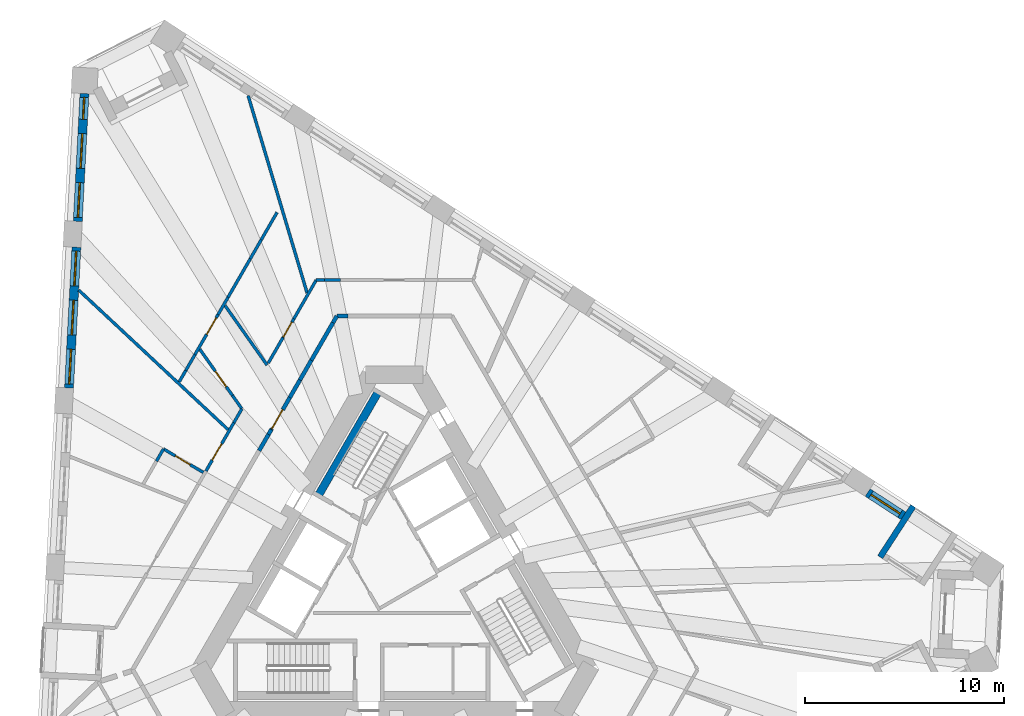
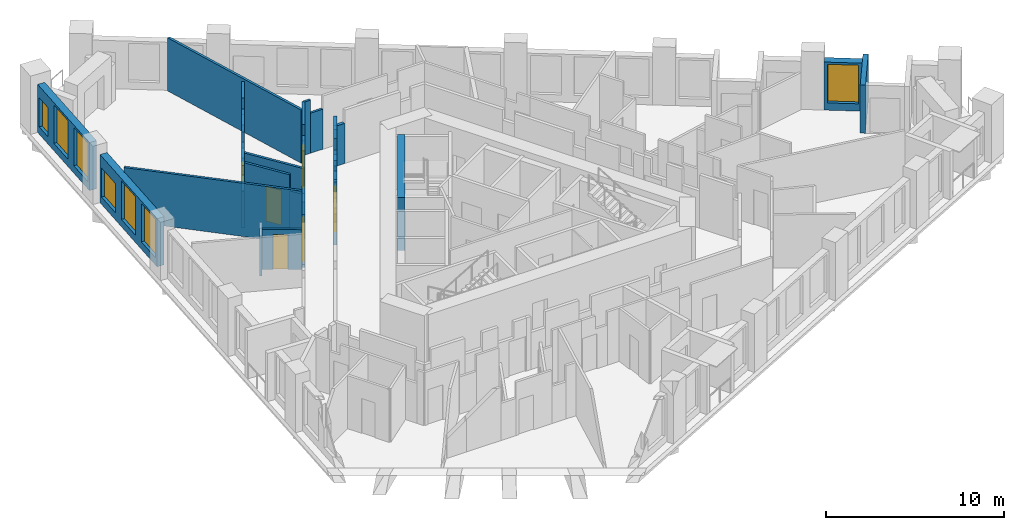
# One storey, part 7 of 13: 34 walls, 7 windows, 6 doors, 13 openings.
"""IFC4 building model written with IfcOpenShell, lengths in metres."""

from ifc_helpers import new_model, si_unit, direction, frame, frame_2d, origin, place, context, subcontext, project, spatial, polyline, rectangle, outline, extrude, material, layer, layer_set, type_object, element, fill, save


model = new_model("IFC4")

# Units and contexts
model_context = context("Model", 3, precision=1e-05, world=origin(), true_north=direction((0.0, 1.0)))
body_context = subcontext(model_context, "Body", "Model", "MODEL_VIEW")
ifc_project = project(units=[si_unit("LENGTHUNIT", "METRE"), si_unit("AREAUNIT", "SQUARE_METRE"), si_unit("VOLUMEUNIT", "CUBIC_METRE"), si_unit("PLANEANGLEUNIT", "RADIAN"), si_unit("MASSUNIT", "GRAM", prefix="KILO")], contexts=[model_context])

# Site, building, storey
site_placement = place(None, origin())
site = spatial("IfcSite", under=ifc_project, at=site_placement, CompositionType="ELEMENT")
building_placement = place(site_placement, origin())
building = spatial("IfcBuilding", under=site, at=building_placement, Name="Tramontana Tower", CompositionType="ELEMENT")
storey_placement = place(building_placement, frame((0.0, 0.0, 145.60009765625)))
storey = spatial("IfcBuildingStorey", under=building, at=storey_placement, Name="L33", CompositionType="ELEMENT", Elevation=145.60009765625)

# Walls
ifc_material_1 = material(Name="Blockwork", Category="masonry")
ifc_layer_1 = layer(ifc_material_1, 0.199951171875)
ifc_layer_set_1 = layer_set([ifc_layer_1], Name="ENTRY WALL 200")
wall_type_1 = type_object("IfcWallType", Name="ENTRY WALL 200", PredefinedType="SOLIDWALL", material=ifc_layer_set_1)
wall_1_placement = place(storey_placement, frame((-6.790283203125, 6.739013671875, 0.0), z_axis=(0.0, 0.0, 1.0), x_axis=(0.500118100521, 0.865957207679, 0.0)))
element("IfcWall", 1, at=wall_1_placement, inside=storey, type_object=wall_type_1, Name="Wall v31-ew4-5", PredefinedType="SOLIDWALL", context=body_context, shape_type="SweptSolid", body=[
    extrude(rectangle(XDim=0.943603515625, YDim=0.199951171875, at=frame_2d((0.4716796875, 0.0))), origin(), (0.0, 0.0, 1.0), 2.5498046875),
])
wall_2_placement = place(storey_placement, frame((-6.318359375, 7.55615234375, 0.0), z_axis=(0.0, 0.0, 1.0), x_axis=(0.499973348067, 0.866040790738, 0.0)))
element("IfcWall", 2, at=wall_2_placement, inside=storey, type_object=wall_type_1, Name="Wall v31-ew4-6", PredefinedType="SOLIDWALL", context=body_context, shape_type="SweptSolid", body=[
    extrude(rectangle(XDim=0.28076171875, YDim=0.199951171875, at=frame_2d((0.140380859375, 0.0))), origin(), (0.0, 0.0, 1.0), 3.64990234375),
])

# Wall, opening, door
wall_3_placement = place(storey_placement, frame((-6.177978515625, 7.79931640625, 0.0), z_axis=(0.0, 0.0, 1.0), x_axis=(0.499999386358, 0.86602575807, 0.0)))
wall_3 = element("IfcWall", 3, at=wall_3_placement, inside=storey, type_object=wall_type_1, Name="Wall v31-ew4-7", PredefinedType="SOLIDWALL", context=body_context, shape_type="SweptSolid", body=[
    extrude(outline(polyline([(0.0, 0.0), (1.85693359375, 0.0), (1.85693359375, 2.5498046875), (0.833251953125, 2.5498046875), (0.833251953125, 3.64990234375), (0.0, 3.64990234375), (0.0, 0.0)])), frame((0.0, 0.10009765625, 0.0), z_axis=(0.0, -1.0, 0.0), x_axis=(1.0, 0.0, 0.0)), (0.0, 0.0, 1.0), 0.199951171875),
])
opening_1_placement = place(wall_3_placement, frame((0.050048828125, 0.0, 0.0)))
opening_1 = element("IfcOpeningElement", 4, at=opening_1_placement, cuts=wall_3, Name="Opening B3B-26", PredefinedType="OPENING", context=body_context, shape_type="SweptSolid", body=[
    extrude(rectangle(XDim=1.10009765625, YDim=2.39990234375, at=frame_2d((0.550048828125, 1.199951171875))), frame((0.0, 0.10986328125, 0.0), z_axis=(0.0, -1.0, 0.0), x_axis=(1.0, 0.0, 0.0)), (0.0, 0.0, 1.0), 0.219970703125),
])
ifc_material_2 = material(Name="Painted timber", Category="wood")
door_type_1 = type_object("IfcDoorType", Name="DOOR ENTRY 1100", OperationType="SINGLE_SWING_LEFT", PredefinedType="DOOR", material=ifc_material_2)
door_1_placement = place(opening_1_placement, origin())
door_1 = element("IfcDoor", 5, at=door_1_placement, inside=storey, type_object=door_type_1, Name="Door B3B-26", OperationType="SINGLE_SWING_RIGHT", OverallHeight=2.39990234375, OverallWidth=1.10009765625, PredefinedType="DOOR", context=body_context, shape_type="SweptSolid", body=[
    extrude(rectangle(XDim=1.10009765625, YDim=2.39990234375, at=frame_2d((0.550048828125, 1.199951171875))), frame((0.0, 0.02490234375, 0.0), z_axis=(0.0, -1.0, 0.0), x_axis=(1.0, 0.0, 0.0)), (0.0, 0.0, 1.0), 0.050048828125),
])
fill(opening_1, door_1)

# Walls
wall_4_placement = place(storey_placement, frame((-5.24951171875, 9.407470703125, 0.0), z_axis=(0.0, 0.0, 1.0), x_axis=(0.499991148707, 0.866030514021, 0.0)))
element("IfcWall", 6, at=wall_4_placement, inside=storey, type_object=wall_type_1, Name="Wall v31-ew4-8", PredefinedType="SOLIDWALL", context=body_context, shape_type="SweptSolid", body=[
    extrude(rectangle(XDim=1.0224609375, YDim=0.199951171875, at=frame_2d((0.51123046875, 0.0))), origin(), (0.0, 0.0, 1.0), 3.64990234375),
])
wall_5_placement = place(storey_placement, frame((-4.73828125, 10.29296875, 0.0), z_axis=(0.0, 0.0, 1.0), x_axis=(0.500001688065, 0.866024429177, 0.0)))
element("IfcWall", 7, at=wall_5_placement, inside=storey, type_object=wall_type_1, Name="Wall v31-ew4-9", PredefinedType="SOLIDWALL", context=body_context, shape_type="SweptSolid", body=[
    extrude(rectangle(XDim=1.13525390625, YDim=0.199951171875, at=frame_2d((0.567626953125, 0.0))), origin(), (0.0, 0.0, 1.0), 2.5498046875),
])
wall_6_placement = place(storey_placement, frame((-4.170654296875, 11.276123046875, 0.0), z_axis=(0.0, 0.0, 1.0), x_axis=(0.50001992892, 0.866013897511, 0.0)))
element("IfcWall", 8, at=wall_6_placement, inside=storey, type_object=wall_type_1, Name="Wall v31-ew4-10", PredefinedType="SOLIDWALL", context=body_context, shape_type="SweptSolid", body=[
    extrude(rectangle(XDim=2.1787109375, YDim=0.199951171875, at=frame_2d((1.08935546875, 0.0))), origin(), (0.0, 0.0, 1.0), 3.64990234375),
])
wall_7_placement = place(storey_placement, frame((-3.081298828125, 13.162841796875, 0.0), z_axis=(0.0, 0.0, 1.0), x_axis=(0.499849133735, 0.866112488944, 0.0)))
element("IfcWall", 9, at=wall_7_placement, inside=storey, type_object=wall_type_1, Name="Wall v31-ew4-11", PredefinedType="SOLIDWALL", context=body_context, shape_type="SweptSolid", body=[
    extrude(rectangle(XDim=0.38916015625, YDim=0.199951171875, at=frame_2d((0.194580078125, 0.0))), origin(), (0.0, 0.0, 1.0), 2.75),
])
wall_8_placement = place(storey_placement, frame((-2.88671875, 13.5, 0.0), z_axis=(0.0, 0.0, 1.0), x_axis=(1.0, 0.0, 0.0)))
element("IfcWall", 10, at=wall_8_placement, inside=storey, type_object=wall_type_1, Name="Wall v31-ew5-0", PredefinedType="SOLIDWALL", context=body_context, shape_type="SweptSolid", body=[
    extrude(rectangle(XDim=0.55322265625, YDim=0.199951171875, at=frame_2d((0.276611328125, 0.0))), origin(), (0.0, 0.0, 1.0), 2.75),
])

# Wall, openings, windows
ifc_material_3 = material(Name="Precast concrete 60 MPa", Category="concrete")
ifc_layer_2 = layer(ifc_material_3, 0.449951171875)
ifc_layer_set_2 = layer_set([ifc_layer_2], Name="Precast concrete 60 MPa, 450 mm")
wall_type_2 = type_object("IfcWallType", Name="EW1 Stone-faced precast wall 450", PredefinedType="SOLIDWALL", material=ifc_layer_set_2)
wall_9_placement = place(storey_placement, frame((-15.5556640625, 24.66259765625, 0.0), z_axis=(0.0, 0.0, 1.0), x_axis=(-0.052313391961, -0.998630717043, 0.0)))
wall_9 = element("IfcWall", 11, at=wall_9_placement, inside=storey, type_object=wall_type_2, Name="External wall L33 face 0 bay 1", PredefinedType="SOLIDWALL", context=body_context, shape_type="SweptSolid", body=[
    extrude(rectangle(XDim=6.421630859375, YDim=0.449951171875, at=frame_2d((3.2109375, 0.0))), origin(), (0.0, 0.0, 1.0), 3.2998046875),
])
opening_2_placement = place(wall_9_placement, frame((0.1953125, 0.0, 0.5)))
opening_2 = element("IfcOpeningElement", 12, at=opening_2_placement, cuts=wall_9, Name="Opening N2L", PredefinedType="OPENING", context=body_context, shape_type="SweptSolid", body=[
    extrude(rectangle(XDim=1.10009765625, YDim=2.0, at=frame_2d((0.550048828125, 1.0))), frame((0.0, 0.23486328125, 0.0), z_axis=(0.0, -1.0, 0.0), x_axis=(1.0, 0.0, 0.0)), (0.0, 0.0, 1.0), 0.469970703125),
])
opening_3_placement = place(wall_9_placement, frame((2.0107421875, 0.0, 0.5)))
opening_3 = element("IfcOpeningElement", 13, at=opening_3_placement, cuts=wall_9, Name="Opening M2", PredefinedType="OPENING", context=body_context, shape_type="SweptSolid", body=[
    extrude(rectangle(XDim=1.75, YDim=2.64990234375, at=frame_2d((0.875, 1.324951171875))), frame((0.0, 0.23486328125, 0.0), z_axis=(0.0, -1.0, 0.0), x_axis=(1.0, 0.0, 0.0)), (0.0, 0.0, 1.0), 0.469970703125),
])
opening_4_placement = place(wall_9_placement, frame((4.476318359375, 0.0, 0.5)))
opening_4 = element("IfcOpeningElement", 14, at=opening_4_placement, cuts=wall_9, Name="Opening M2", PredefinedType="OPENING", context=body_context, shape_type="SweptSolid", body=[
    extrude(rectangle(XDim=1.75, YDim=2.64990234375, at=frame_2d((0.875, 1.324951171875))), frame((0.0, 0.23486328125, 0.0), z_axis=(0.0, -1.0, 0.0), x_axis=(1.0, 0.0, 0.0)), (0.0, 0.0, 1.0), 0.469970703125),
])
ifc_material_4 = material(Name="Aluminum frame, double glazing unit", Category="aluminium")
window_type_1 = type_object("IfcWindowType", Name="M2 Window 1.75 x 2.65", PartitioningType="SINGLE_PANEL", PredefinedType="WINDOW", material=ifc_material_4)
window_1_placement = place(opening_3_placement, origin())
window_1 = element("IfcWindow", 15, at=window_1_placement, inside=storey, type_object=window_type_1, Name="Window M2 L33 face 0 module 2", OverallHeight=2.64990234375, OverallWidth=1.75, PartitioningType="SINGLE_PANEL", PredefinedType="WINDOW", context=body_context, shape_type="SweptSolid", body=[
    extrude(rectangle(XDim=1.75, YDim=2.64990234375, at=frame_2d((0.875, 1.324951171875))), frame((0.0, 0.030029296875, 0.0), z_axis=(0.0, -1.0, 0.0), x_axis=(1.0, 0.0, 0.0)), (0.0, 0.0, 1.0), 0.06005859375),
])
fill(opening_3, window_1)
window_2_placement = place(opening_4_placement, origin())
window_2 = element("IfcWindow", 16, at=window_2_placement, inside=storey, type_object=window_type_1, Name="Window M2 L33 face 0 module 3", OverallHeight=2.64990234375, OverallWidth=1.75, PartitioningType="SINGLE_PANEL", PredefinedType="WINDOW", context=body_context, shape_type="SweptSolid", body=[
    extrude(rectangle(XDim=1.75, YDim=2.64990234375, at=frame_2d((0.875, 1.324951171875))), frame((0.0, 0.030029296875, 0.0), z_axis=(0.0, -1.0, 0.0), x_axis=(1.0, 0.0, 0.0)), (0.0, 0.0, 1.0), 0.06005859375),
])
fill(opening_4, window_2)
ifc_material_5 = material(Name="Aluminum frame, double glazing unit", Category="aluminium")
window_type_2 = type_object("IfcWindowType", Name="N2L Window 1.1 x 2", PartitioningType="SINGLE_PANEL", PredefinedType="WINDOW", material=ifc_material_5)
window_3_placement = place(opening_2_placement, origin())
window_3 = element("IfcWindow", 17, at=window_3_placement, inside=storey, type_object=window_type_2, Name="Window N2L L33 face 0 module 1", OverallHeight=2.0, OverallWidth=1.10009765625, PartitioningType="SINGLE_PANEL", PredefinedType="WINDOW", context=body_context, shape_type="SweptSolid", body=[
    extrude(rectangle(XDim=1.10009765625, YDim=2.0, at=frame_2d((0.550048828125, 1.0))), frame((0.0, 0.030029296875, 0.0), z_axis=(0.0, -1.0, 0.0), x_axis=(1.0, 0.0, 0.0)), (0.0, 0.0, 1.0), 0.06005859375),
])
fill(opening_2, window_3)

wall_10_placement = place(storey_placement, frame((-15.959716796875, 16.95166015625, 0.0), z_axis=(0.0, 0.0, 1.0), x_axis=(-0.052337766399, -0.998629439887, 0.0)))
wall_10 = element("IfcWall", 18, at=wall_10_placement, inside=storey, type_object=wall_type_2, Name="External wall L33 face 0 bay 2", PredefinedType="SOLIDWALL", context=body_context, shape_type="SweptSolid", body=[
    extrude(rectangle(XDim=7.07177734375, YDim=0.449951171875, at=frame_2d((3.535888671875, 0.0))), origin(), (0.0, 0.0, 1.0), 3.2998046875),
])
opening_5_placement = place(wall_10_placement, frame((0.1953125, 0.0, 0.5)))
opening_5 = element("IfcOpeningElement", 19, at=opening_5_placement, cuts=wall_10, Name="Opening M2L", PredefinedType="OPENING", context=body_context, shape_type="SweptSolid", body=[
    extrude(rectangle(XDim=1.75, YDim=2.0, at=frame_2d((0.875, 1.0))), frame((0.0, 0.23486328125, 0.0), z_axis=(0.0, -1.0, 0.0), x_axis=(1.0, 0.0, 0.0)), (0.0, 0.0, 1.0), 0.469970703125),
])
opening_6_placement = place(wall_10_placement, frame((2.660888671875, 0.0, 0.5)))
opening_6 = element("IfcOpeningElement", 20, at=opening_6_placement, cuts=wall_10, Name="Opening M2", PredefinedType="OPENING", context=body_context, shape_type="SweptSolid", body=[
    extrude(rectangle(XDim=1.75, YDim=2.64990234375, at=frame_2d((0.875, 1.324951171875))), frame((0.0, 0.23486328125, 0.0), z_axis=(0.0, -1.0, 0.0), x_axis=(1.0, 0.0, 0.0)), (0.0, 0.0, 1.0), 0.469970703125),
])
opening_7_placement = place(wall_10_placement, frame((5.126220703125, 0.0, 0.5)))
opening_7 = element("IfcOpeningElement", 21, at=opening_7_placement, cuts=wall_10, Name="Opening M2", PredefinedType="OPENING", context=body_context, shape_type="SweptSolid", body=[
    extrude(rectangle(XDim=1.75, YDim=2.64990234375, at=frame_2d((0.875, 1.324951171875))), frame((0.0, 0.23486328125, 0.0), z_axis=(0.0, -1.0, 0.0), x_axis=(1.0, 0.0, 0.0)), (0.0, 0.0, 1.0), 0.469970703125),
])
window_4_placement = place(opening_6_placement, origin())
window_4 = element("IfcWindow", 22, at=window_4_placement, inside=storey, type_object=window_type_1, Name="Window M2 L33 face 0 module 5", OverallHeight=2.64990234375, OverallWidth=1.75, PartitioningType="SINGLE_PANEL", PredefinedType="WINDOW", context=body_context, shape_type="SweptSolid", body=[
    extrude(rectangle(XDim=1.75, YDim=2.64990234375, at=frame_2d((0.875, 1.324951171875))), frame((0.0, 0.030029296875, 0.0), z_axis=(0.0, -1.0, 0.0), x_axis=(1.0, 0.0, 0.0)), (0.0, 0.0, 1.0), 0.06005859375),
])
fill(opening_6, window_4)
window_5_placement = place(opening_7_placement, origin())
window_5 = element("IfcWindow", 23, at=window_5_placement, inside=storey, type_object=window_type_1, Name="Window M2 L33 face 0 module 6", OverallHeight=2.64990234375, OverallWidth=1.75, PartitioningType="SINGLE_PANEL", PredefinedType="WINDOW", context=body_context, shape_type="SweptSolid", body=[
    extrude(rectangle(XDim=1.75, YDim=2.64990234375, at=frame_2d((0.875, 1.324951171875))), frame((0.0, 0.030029296875, 0.0), z_axis=(0.0, -1.0, 0.0), x_axis=(1.0, 0.0, 0.0)), (0.0, 0.0, 1.0), 0.06005859375),
])
fill(opening_7, window_5)
ifc_material_6 = material(Name="Aluminum frame, double glazing unit", Category="aluminium")
window_type_3 = type_object("IfcWindowType", Name="M2L Window 1.75 x 2", PartitioningType="SINGLE_PANEL", PredefinedType="WINDOW", material=ifc_material_6)
window_6_placement = place(opening_5_placement, origin())
window_6 = element("IfcWindow", 24, at=window_6_placement, inside=storey, type_object=window_type_3, Name="Window M2L L33 face 0 module 4", OverallHeight=2.0, OverallWidth=1.75, PartitioningType="SINGLE_PANEL", PredefinedType="WINDOW", context=body_context, shape_type="SweptSolid", body=[
    extrude(rectangle(XDim=1.75, YDim=2.0, at=frame_2d((0.875, 1.0))), frame((0.0, 0.030029296875, 0.0), z_axis=(0.0, -1.0, 0.0), x_axis=(1.0, 0.0, 0.0)), (0.0, 0.0, 1.0), 0.06005859375),
])
fill(opening_5, window_6)

# Wall, opening, window
wall_11_placement = place(storey_placement, frame((25.5458984375, 3.471923828125, 0.0), z_axis=(0.0, 0.0, 1.0), x_axis=(-0.838675466927, 0.544631491171, 0.0)))
wall_11 = element("IfcWall", 25, at=wall_11_placement, inside=storey, type_object=wall_type_2, Name="External wall L33 face 2 bay 1", PredefinedType="SOLIDWALL", context=body_context, shape_type="SweptSolid", body=[
    extrude(rectangle(XDim=2.140380859375, YDim=0.449951171875, at=frame_2d((1.0703125, 0.0))), origin(), (0.0, 0.0, 1.0), 3.2998046875),
])
opening_8_placement = place(wall_11_placement, frame((0.1953125, 0.0, 0.5)))
opening_8 = element("IfcOpeningElement", 26, at=opening_8_placement, cuts=wall_11, Name="Opening M2", PredefinedType="OPENING", context=body_context, shape_type="SweptSolid", body=[
    extrude(rectangle(XDim=1.75, YDim=2.64990234375, at=frame_2d((0.875, 1.324951171875))), frame((0.0, 0.23486328125, 0.0), z_axis=(0.0, -1.0, 0.0), x_axis=(1.0, 0.0, 0.0)), (0.0, 0.0, 1.0), 0.469970703125),
])
window_7_placement = place(opening_8_placement, origin())
window_7 = element("IfcWindow", 27, at=window_7_placement, inside=storey, type_object=window_type_1, Name="Window M2 L33 face 2 module 3", OverallHeight=2.64990234375, OverallWidth=1.75, PartitioningType="SINGLE_PANEL", PredefinedType="WINDOW", context=body_context, shape_type="SweptSolid", body=[
    extrude(rectangle(XDim=1.75, YDim=2.64990234375, at=frame_2d((0.875, 1.324951171875))), frame((0.0, 0.030029296875, 0.0), z_axis=(0.0, -1.0, 0.0), x_axis=(1.0, 0.0, 0.0)), (0.0, 0.0, 1.0), 0.06005859375),
])
fill(opening_8, window_7)

# Wall
ifc_material_7 = material(Name="Precast concrete 60 MPa", Category="concrete")
ifc_layer_3 = layer(ifc_material_7, 0.300048828125)
ifc_layer_set_3 = layer_set([ifc_layer_3], Name="LW1 Stone-faced loggia wall 300")
wall_type_3 = type_object("IfcWallType", Name="LW1 Stone-faced loggia wall 300", PredefinedType="SOLIDWALL", material=ifc_layer_set_3)
wall_12_placement = place(storey_placement, frame((26.039306640625, 3.956298828125, 0.0), z_axis=(0.0, 0.0, 1.0), x_axis=(-0.544611292451, -0.838688583525, 0.0)))
element("IfcWall", 28, at=wall_12_placement, inside=storey, type_object=wall_type_3, Name="Loggia return L33 G3S2.1b", PredefinedType="SOLIDWALL", context=body_context, shape_type="SweptSolid", body=[
    extrude(rectangle(XDim=3.050048828125, YDim=0.300048828125, at=frame_2d((1.52490234375, 0.0))), origin(), (0.0, 0.0, 1.0), 3.2998046875),
])

# Wall, opening, door
ifc_material_8 = material(Name="Gypsum board partition")
ifc_layer_4 = layer(ifc_material_8, 0.14990234375)
ifc_layer_set_4 = layer_set([ifc_layer_4], Name="PARTITION 150")
wall_type_4 = type_object("IfcWallType", Name="PARTITION 150", PredefinedType="PARTITIONING", material=ifc_layer_set_4)
wall_13_placement = place(storey_placement, frame((-9.457763671875, 5.71875, 0.0), z_axis=(0.0, 0.0, 1.0), x_axis=(0.499996941814, 0.866027169422, 0.0)))
wall_13 = element("IfcWall", 29, at=wall_13_placement, inside=storey, type_object=wall_type_4, Name="Wall v31-pw04-4", PredefinedType="PARTITIONING", context=body_context, shape_type="SweptSolid", body=[
    extrude(rectangle(XDim=2.79736328125, YDim=0.14990234375, at=frame_2d((1.398681640625, 0.0))), origin(), (0.0, 0.0, 1.0), 3.64990234375),
])
opening_9_placement = place(wall_13_placement, frame((0.6298828125, 0.0, 0.0)))
opening_9 = element("IfcOpeningElement", 30, at=opening_9_placement, cuts=wall_13, Name="Opening B3B-05", PredefinedType="OPENING", context=body_context, shape_type="SweptSolid", body=[
    extrude(rectangle(XDim=0.949951171875, YDim=2.39990234375, at=frame_2d((0.47509765625, 1.199951171875))), frame((0.0, 0.0849609375, 0.0), z_axis=(0.0, -1.0, 0.0), x_axis=(1.0, 0.0, 0.0)), (0.0, 0.0, 1.0), 0.169921875),
])
ifc_material_9 = material(Name="Painted timber", Category="wood")
door_type_2 = type_object("IfcDoorType", Name="DOOR ROOM 950", OperationType="SINGLE_SWING_LEFT", PredefinedType="DOOR", material=ifc_material_9)
door_2_placement = place(opening_9_placement, origin())
door_2 = element("IfcDoor", 31, at=door_2_placement, inside=storey, type_object=door_type_2, Name="Door B3B-05", OperationType="SINGLE_SWING_LEFT", OverallHeight=2.39990234375, OverallWidth=0.949951171875, PredefinedType="DOOR", context=body_context, shape_type="SweptSolid", body=[
    extrude(rectangle(XDim=0.949951171875, YDim=2.39990234375, at=frame_2d((0.47509765625, 1.199951171875))), frame((0.0, 0.02490234375, 0.0), z_axis=(0.0, -1.0, 0.0), x_axis=(1.0, 0.0, 0.0)), (0.0, 0.0, 1.0), 0.050048828125),
])
fill(opening_9, door_2)

# Walls
wall_14_placement = place(storey_placement, frame((-8.05908203125, 8.141357421875, 0.0), z_axis=(0.0, 0.0, 1.0), x_axis=(0.499949632511, 0.866054481515, 0.0)))
element("IfcWall", 32, at=wall_14_placement, inside=storey, type_object=wall_type_4, Name="Wall v31-pw04-5", PredefinedType="PARTITIONING", context=body_context, shape_type="SweptSolid", body=[
    extrude(rectangle(XDim=0.80615234375, YDim=0.14990234375, at=frame_2d((0.403076171875, 0.0))), origin(), (0.0, 0.0, 1.0), 2.5498046875),
])
wall_15_placement = place(storey_placement, frame((-11.94140625, 6.216796875, 0.0), z_axis=(0.0, 0.0, 1.0), x_axis=(0.499792463624, 0.866145191815, 0.0)))
element("IfcWall", 33, at=wall_15_placement, inside=storey, type_object=wall_type_4, Name="Wall v31-pw08-1", PredefinedType="PARTITIONING", context=body_context, shape_type="SweptSolid", body=[
    extrude(rectangle(XDim=0.704345703125, YDim=0.14990234375, at=frame_2d((0.35205078125, 0.0))), origin(), (0.0, 0.0, 1.0), 2.75),
])

# Wall, opening, door
wall_16_placement = place(storey_placement, frame((-9.5859375, 5.646728515625, 0.0), z_axis=(0.0, 0.0, 1.0), x_axis=(-0.861615541437, 0.507561482733, 0.0)))
wall_16 = element("IfcWall", 34, at=wall_16_placement, inside=storey, type_object=wall_type_4, Name="Wall v31-pw10-0", PredefinedType="PARTITIONING", context=body_context, shape_type="SweptSolid", body=[
    extrude(rectangle(XDim=2.3251953125, YDim=0.14990234375, at=frame_2d((1.16259765625, 0.0))), origin(), (0.0, 0.0, 1.0), 2.75),
])
opening_10_placement = place(wall_16_placement, frame((0.780029296875, 0.0, 0.0)))
opening_10 = element("IfcOpeningElement", 35, at=opening_10_placement, cuts=wall_16, Name="Opening B3B-08", PredefinedType="OPENING", context=body_context, shape_type="SweptSolid", body=[
    extrude(rectangle(XDim=0.85009765625, YDim=2.39990234375, at=frame_2d((0.425048828125, 1.199951171875))), frame((0.0, 0.0849609375, 0.0), z_axis=(0.0, -1.0, 0.0), x_axis=(1.0, 0.0, 0.0)), (0.0, 0.0, 1.0), 0.169921875),
])
ifc_material_10 = material(Name="Painted timber", Category="wood")
door_type_3 = type_object("IfcDoorType", Name="DOOR BATH 850", OperationType="SINGLE_SWING_LEFT", PredefinedType="DOOR", material=ifc_material_10)
door_3_placement = place(opening_10_placement, origin())
door_3 = element("IfcDoor", 36, at=door_3_placement, inside=storey, type_object=door_type_3, Name="Door B3B-08", OperationType="SINGLE_SWING_RIGHT", OverallHeight=2.39990234375, OverallWidth=0.85009765625, PredefinedType="DOOR", context=body_context, shape_type="SweptSolid", body=[
    extrude(rectangle(XDim=0.85009765625, YDim=2.39990234375, at=frame_2d((0.425048828125, 1.199951171875))), frame((0.0, 0.02490234375, 0.0), z_axis=(0.0, -1.0, 0.0), x_axis=(1.0, 0.0, 0.0)), (0.0, 0.0, 1.0), 0.050048828125),
])
fill(opening_10, door_3)

# Walls
wall_17_placement = place(storey_placement, frame((-10.80126953125, 10.191650390625, 0.0), z_axis=(0.0, 0.0, 1.0), x_axis=(0.499923391538, 0.866069629183, 0.0)))
element("IfcWall", 37, at=wall_17_placement, inside=storey, type_object=wall_type_4, Name="Wall v31-pw12-0", PredefinedType="PARTITIONING", context=body_context, shape_type="SweptSolid", body=[
    extrude(rectangle(XDim=0.666015625, YDim=0.14990234375, at=frame_2d((0.3330078125, 0.0))), origin(), (0.0, 0.0, 1.0), 3.64990234375),
])
wall_18_placement = place(storey_placement, frame((-10.46826171875, 10.7685546875, 0.0), z_axis=(0.0, 0.0, 1.0), x_axis=(0.500060322201, 0.865990573944, 0.0)))
element("IfcWall", 38, at=wall_18_placement, inside=storey, type_object=wall_type_4, Name="Wall v31-pw12-1", PredefinedType="PARTITIONING", context=body_context, shape_type="SweptSolid", body=[
    extrude(rectangle(XDim=0.91748046875, YDim=0.14990234375, at=frame_2d((0.458740234375, 0.0))), origin(), (0.0, 0.0, 1.0), 2.5498046875),
])

# Wall, opening, door
wall_19_placement = place(storey_placement, frame((-10.009521484375, 11.56298828125, 0.0), z_axis=(0.0, 0.0, 1.0), x_axis=(0.499986579711, 0.866033151853, 0.0)))
wall_19 = element("IfcWall", 39, at=wall_19_placement, inside=storey, type_object=wall_type_4, Name="Wall v31-pw12-2", PredefinedType="PARTITIONING", context=body_context, shape_type="SweptSolid", body=[
    extrude(rectangle(XDim=2.3203125, YDim=0.14990234375, at=frame_2d((1.16015625, 0.0))), origin(), (0.0, 0.0, 1.0), 3.64990234375),
])
opening_11_placement = place(wall_19_placement, frame((1.178466796875, 0.0, 0.0)))
opening_11 = element("IfcOpeningElement", 40, at=opening_11_placement, cuts=wall_19, Name="Opening B3B-03", PredefinedType="OPENING", context=body_context, shape_type="SweptSolid", body=[
    extrude(rectangle(XDim=0.949951171875, YDim=2.39990234375, at=frame_2d((0.47509765625, 1.199951171875))), frame((0.0, 0.0849609375, 0.0), z_axis=(0.0, -1.0, 0.0), x_axis=(1.0, 0.0, 0.0)), (0.0, 0.0, 1.0), 0.169921875),
])
door_4_placement = place(opening_11_placement, origin())
door_4 = element("IfcDoor", 41, at=door_4_placement, inside=storey, type_object=door_type_2, Name="Door B3B-03", OperationType="SINGLE_SWING_LEFT", OverallHeight=2.39990234375, OverallWidth=0.949951171875, PredefinedType="DOOR", context=body_context, shape_type="SweptSolid", body=[
    extrude(rectangle(XDim=0.949951171875, YDim=2.39990234375, at=frame_2d((0.47509765625, 1.199951171875))), frame((0.0, 0.02490234375, 0.0), z_axis=(0.0, -1.0, 0.0), x_axis=(1.0, 0.0, 0.0)), (0.0, 0.0, 1.0), 0.050048828125),
])
fill(opening_11, door_4)

# Walls
wall_20_placement = place(storey_placement, frame((-8.849365234375, 13.572509765625, 0.0), z_axis=(0.0, 0.0, 1.0), x_axis=(0.499991453095, 0.866030338286, 0.0)))
element("IfcWall", 42, at=wall_20_placement, inside=storey, type_object=wall_type_4, Name="Wall v31-pw12-3", PredefinedType="PARTITIONING", context=body_context, shape_type="SweptSolid", body=[
    extrude(rectangle(XDim=0.9951171875, YDim=0.14990234375, at=frame_2d((0.49755859375, 0.0))), origin(), (0.0, 0.0, 1.0), 2.5498046875),
])
wall_21_placement = place(storey_placement, frame((-8.351806640625, 14.434326171875, 0.0), z_axis=(0.0, 0.0, 1.0), x_axis=(0.500040905051, 0.866001785954, 0.0)))
element("IfcWall", 43, at=wall_21_placement, inside=storey, type_object=wall_type_4, Name="Wall v31-pw12-4", PredefinedType="PARTITIONING", context=body_context, shape_type="SweptSolid", body=[
    extrude(rectangle(XDim=2.234130859375, YDim=0.14990234375, at=frame_2d((1.1171875, 0.0))), origin(), (0.0, 0.0, 1.0), 3.64990234375),
])
wall_22_placement = place(storey_placement, frame((-7.234619140625, 16.369140625, 0.0), z_axis=(0.0, 0.0, 1.0), x_axis=(0.499850094852, 0.866111934265, 0.0)))
element("IfcWall", 44, at=wall_22_placement, inside=storey, type_object=wall_type_4, Name="Wall v31-pw12-5", PredefinedType="PARTITIONING", context=body_context, shape_type="SweptSolid", body=[
    extrude(rectangle(XDim=1.103759765625, YDim=0.14990234375, at=frame_2d((0.5517578125, 0.0))), origin(), (0.0, 0.0, 1.0), 2.5498046875),
])
wall_23_placement = place(storey_placement, frame((-6.682861328125, 17.3251953125, 0.0), z_axis=(0.0, 0.0, 1.0), x_axis=(0.500108487576, 0.865962759392, 0.0)))
element("IfcWall", 45, at=wall_23_placement, inside=storey, type_object=wall_type_4, Name="Wall v31-pw12-6", PredefinedType="PARTITIONING", context=body_context, shape_type="SweptSolid", body=[
    extrude(rectangle(XDim=1.587646484375, YDim=0.14990234375, at=frame_2d((0.7939453125, 0.0))), origin(), (0.0, 0.0, 1.0), 3.64990234375),
])
wall_24_placement = place(storey_placement, frame((-8.50146484375, 14.024658203125, 0.0), z_axis=(0.0, 0.0, 1.0), x_axis=(0.577037005517, -0.816718001677, 0.0)))
element("IfcWall", 46, at=wall_24_placement, inside=storey, type_object=wall_type_4, Name="Wall v31-pw14-0", PredefinedType="PARTITIONING", context=body_context, shape_type="SweptSolid", body=[
    extrude(rectangle(XDim=3.65673828125, YDim=0.14990234375, at=frame_2d((1.828369140625, 0.0))), origin(), (0.0, 0.0, 1.0), 2.5498046875),
])
wall_25_placement = place(storey_placement, frame((-8.345458984375, 7.795166015625, 0.0), z_axis=(0.0, 0.0, 1.0), x_axis=(-0.730777599557, 0.68261563122, 0.0)))
element("IfcWall", 47, at=wall_25_placement, inside=storey, type_object=wall_type_4, Name="Wall v31-pw15", PredefinedType="PARTITIONING", context=body_context, shape_type="SweptSolid", body=[
    extrude(rectangle(XDim=10.26513671875, YDim=0.14990234375, at=frame_2d((5.132568359375, 0.0))), origin(), (0.0, 0.0, 1.0), 3.64990234375),
])
wall_26_placement = place(storey_placement, frame((-7.656005859375, 8.842529296875, 0.0), z_axis=(0.0, 0.0, 1.0), x_axis=(-0.577242645189, 0.81657267195, 0.0)))
element("IfcWall", 48, at=wall_26_placement, inside=storey, type_object=wall_type_4, Name="Wall v31-pw17-0", PredefinedType="PARTITIONING", context=body_context, shape_type="SweptSolid", body=[
    extrude(rectangle(XDim=0.822265625, YDim=0.14990234375, at=frame_2d((0.4111328125, 0.0))), origin(), (0.0, 0.0, 1.0), 2.5498046875),
])

# Wall, opening, door
wall_27_placement = place(storey_placement, frame((-8.130615234375, 9.513916015625, 0.0), z_axis=(0.0, 0.0, 1.0), x_axis=(-0.577014212804, 0.816734104971, 0.0)))
wall_27 = element("IfcWall", 49, at=wall_27_placement, inside=storey, type_object=wall_type_4, Name="Wall v31-pw17-1", PredefinedType="PARTITIONING", context=body_context, shape_type="SweptSolid", body=[
    extrude(rectangle(XDim=2.83740234375, YDim=0.14990234375, at=frame_2d((1.418701171875, 0.0))), origin(), (0.0, 0.0, 1.0), 3.64990234375),
])
opening_12_placement = place(wall_27_placement, frame((0.532470703125, 0.0, 0.0)))
opening_12 = element("IfcOpeningElement", 50, at=opening_12_placement, cuts=wall_27, Name="Opening B3B-01", PredefinedType="OPENING", context=body_context, shape_type="SweptSolid", body=[
    extrude(rectangle(XDim=0.949951171875, YDim=2.39990234375, at=frame_2d((0.47509765625, 1.199951171875))), frame((0.0, 0.0849609375, 0.0), z_axis=(0.0, -1.0, 0.0), x_axis=(1.0, 0.0, 0.0)), (0.0, 0.0, 1.0), 0.169921875),
])
door_5_placement = place(opening_12_placement, origin())
door_5 = element("IfcDoor", 51, at=door_5_placement, inside=storey, type_object=door_type_2, Name="Door B3B-01", OperationType="SINGLE_SWING_LEFT", OverallHeight=2.39990234375, OverallWidth=0.949951171875, PredefinedType="DOOR", context=body_context, shape_type="SweptSolid", body=[
    extrude(rectangle(XDim=0.949951171875, YDim=2.39990234375, at=frame_2d((0.47509765625, 1.199951171875))), frame((0.0, 0.02490234375, 0.0), z_axis=(0.0, -1.0, 0.0), x_axis=(1.0, 0.0, 0.0)), (0.0, 0.0, 1.0), 0.050048828125),
])
fill(opening_12, door_5)

# Walls
wall_28_placement = place(storey_placement, frame((-7.34130859375, 24.560791015625, 0.0), z_axis=(0.0, 0.0, 1.0), x_axis=(0.286374506655, -0.958117759953, 0.0)))
element("IfcWall", 52, at=wall_28_placement, inside=storey, type_object=wall_type_4, Name="Wall v31-pw18", PredefinedType="PARTITIONING", context=body_context, shape_type="SweptSolid", body=[
    extrude(rectangle(XDim=10.33349609375, YDim=0.14990234375, at=frame_2d((5.166748046875, 0.0))), origin(), (0.0, 0.0, 1.0), 3.64990234375),
])
wall_29_placement = place(storey_placement, frame((-6.328125, 11.139404296875, 0.0), z_axis=(0.0, 0.0, 1.0), x_axis=(0.499929700969, 0.866065987145, 0.0)))
element("IfcWall", 53, at=wall_29_placement, inside=storey, type_object=wall_type_4, Name="Wall v31-pw19-1", PredefinedType="PARTITIONING", context=body_context, shape_type="SweptSolid", body=[
    extrude(rectangle(XDim=1.461669921875, YDim=0.14990234375, at=frame_2d((0.73095703125, 0.0))), origin(), (0.0, 0.0, 1.0), 3.64990234375),
])

# Wall, opening, door
wall_30_placement = place(storey_placement, frame((-5.597412109375, 12.4052734375, 0.0), z_axis=(0.0, 0.0, 1.0), x_axis=(0.500111757231, 0.865960871102, 0.0)))
wall_30 = element("IfcWall", 54, at=wall_30_placement, inside=storey, type_object=wall_type_4, Name="Wall v31-pw19-2", PredefinedType="PARTITIONING", context=body_context, shape_type="SweptSolid", body=[
    extrude(rectangle(XDim=1.103759765625, YDim=0.14990234375, at=frame_2d((0.5517578125, 0.0))), origin(), (0.0, 0.0, 1.0), 2.5498046875),
])
opening_13_placement = place(wall_30_placement, frame((0.052734375, 0.0, 0.0)))
opening_13 = element("IfcOpeningElement", 55, at=opening_13_placement, cuts=wall_30, Name="Opening B3B-02", PredefinedType="OPENING", context=body_context, shape_type="SweptSolid", body=[
    extrude(rectangle(XDim=0.85009765625, YDim=2.39990234375, at=frame_2d((0.425048828125, 1.199951171875))), frame((0.0, 0.0849609375, 0.0), z_axis=(0.0, -1.0, 0.0), x_axis=(1.0, 0.0, 0.0)), (0.0, 0.0, 1.0), 0.169921875),
])
door_6_placement = place(opening_13_placement, origin())
door_6 = element("IfcDoor", 56, at=door_6_placement, inside=storey, type_object=door_type_3, Name="Door B3B-02", OperationType="SINGLE_SWING_RIGHT", OverallHeight=2.39990234375, OverallWidth=0.85009765625, PredefinedType="DOOR", context=body_context, shape_type="SweptSolid", body=[
    extrude(rectangle(XDim=0.85009765625, YDim=2.39990234375, at=frame_2d((0.425048828125, 1.199951171875))), frame((0.0, 0.02490234375, 0.0), z_axis=(0.0, -1.0, 0.0), x_axis=(1.0, 0.0, 0.0)), (0.0, 0.0, 1.0), 0.050048828125),
])
fill(opening_13, door_6)

# Walls
wall_31_placement = place(storey_placement, frame((-5.04541015625, 13.361083984375, 0.0), z_axis=(0.0, 0.0, 1.0), x_axis=(0.499974169222, 0.866040316677, 0.0)))
element("IfcWall", 57, at=wall_31_placement, inside=storey, type_object=wall_type_4, Name="Wall v31-pw19-3", PredefinedType="PARTITIONING", context=body_context, shape_type="SweptSolid", body=[
    extrude(rectangle(XDim=2.23876953125, YDim=0.14990234375, at=frame_2d((1.119384765625, 0.0))), origin(), (0.0, 0.0, 1.0), 3.64990234375),
])
wall_32_placement = place(storey_placement, frame((-3.92578125, 15.300048828125, 0.0), z_axis=(0.0, 0.0, 1.0), x_axis=(1.0, 0.0, 0.0)))
element("IfcWall", 58, at=wall_32_placement, inside=storey, type_object=wall_type_4, Name="Wall v31-pw22-0", PredefinedType="PARTITIONING", context=body_context, shape_type="SweptSolid", body=[
    extrude(rectangle(XDim=0.423095703125, YDim=0.14990234375, at=frame_2d((0.21142578125, 0.0))), origin(), (0.0, 0.0, 1.0), 3.64990234375),
])
wall_33_placement = place(storey_placement, frame((-3.502685546875, 15.300048828125, 0.0), z_axis=(0.0, 0.0, 1.0), x_axis=(1.0, 0.0, 0.0)))
element("IfcWall", 59, at=wall_33_placement, inside=storey, type_object=wall_type_4, Name="Wall v31-pw22-1", PredefinedType="PARTITIONING", context=body_context, shape_type="SweptSolid", body=[
    extrude(rectangle(XDim=0.791015625, YDim=0.14990234375, at=frame_2d((0.3955078125, 0.0))), origin(), (0.0, 0.0, 1.0), 2.75),
])
ifc_material_11 = material(Name="Concrete 70 MPa", Category="concrete")
ifc_layer_5 = layer(ifc_material_11, 0.39990234375)
ifc_layer_set_5 = layer_set([ifc_layer_5], Name="Concrete 70 MPa, 400 mm")
wall_type_5 = type_object("IfcWallType", Name="RC SHAFT BACK WALL 400", PredefinedType="SOLIDWALL", material=ifc_layer_set_5)
wall_34_placement = place(storey_placement, frame((-0.766357421875, 9.7724609375, 0.0), z_axis=(0.0, 0.0, 1.0), x_axis=(-0.500009909098, -0.866019682689, 0.0)))
element("IfcWall", 60, at=wall_34_placement, inside=storey, type_object=wall_type_5, Name="Wall st1-back", PredefinedType="SOLIDWALL", context=body_context, shape_type="SweptSolid", body=[
    extrude(rectangle(XDim=6.199951171875, YDim=0.39990234375, at=frame_2d((3.10009765625, 0.0))), origin(), (0.0, 0.0, 1.0), 3.64990234375),
])

save(model, "model.ifc")
